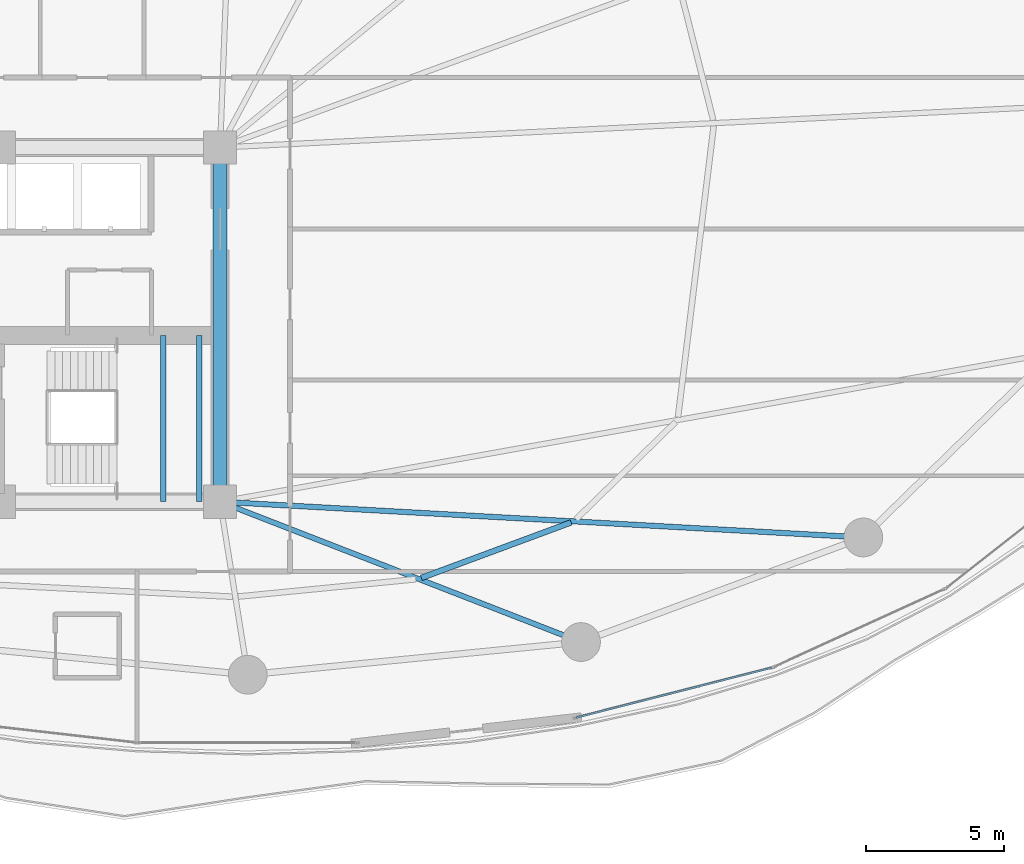
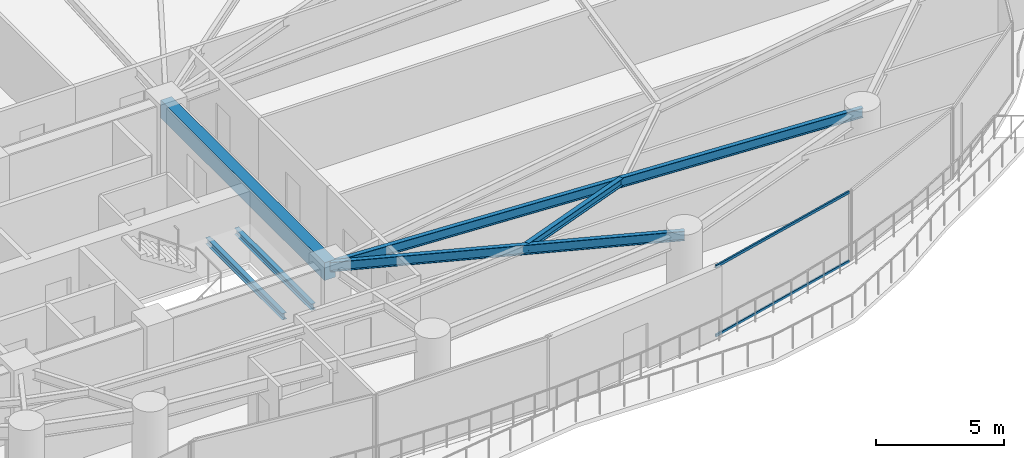
# One storey, part 12 of 31: 6 beams, 2 members, 1 element without a shape of its own.
"""IFC4 building model written with IfcOpenShell, lengths in metres."""

from ifc_helpers import new_model, si_unit, direction, frame, origin, origin_2d, place, context, subcontext, project, spatial, rectangle, hollow_rectangle, i_section, extrude, material, layer, layer_set, material_profile, profile_set, type_object, element, aggregate, save


model = new_model("IFC4")

# Units and contexts
model_context = context("Model", 3, precision=1e-05, world=origin(), true_north=direction((0.0, 1.0)))
body_context = subcontext(model_context, "Body", "Model", "MODEL_VIEW")
ifc_project = project(units=[si_unit("LENGTHUNIT", "METRE"), si_unit("AREAUNIT", "SQUARE_METRE"), si_unit("VOLUMEUNIT", "CUBIC_METRE"), si_unit("PLANEANGLEUNIT", "RADIAN"), si_unit("MASSUNIT", "GRAM", prefix="KILO")], contexts=[model_context])

# Site, building, storey
site_placement = place(None, origin())
site = spatial("IfcSite", under=ifc_project, at=site_placement, CompositionType="ELEMENT")
building_placement = place(site_placement, origin())
building = spatial("IfcBuilding", under=site, at=building_placement, Name="Kazevale Care Tower and Concert Hall", CompositionType="ELEMENT")
storey_placement = place(building_placement, frame((0.0, 0.0, 60.0)))
storey = spatial("IfcBuildingStorey", under=building, at=storey_placement, Name="L15", CompositionType="ELEMENT", Elevation=60.0)

# Curtain wall, members
ifc_material_1 = material(Name="Aluminium 6063-T6 and Low-E Glass", Category="aluminium")
ifc_layer = layer(ifc_material_1, 0.179931640625)
ifc_layer_set = layer_set([ifc_layer], Name="Aluminium 6063-T6 and Low-E Glass")
curtain_wall_type = type_object("IfcCurtainWallType", Name="Sheltered Concave Balcony Curtain Wall CW-5", PredefinedType="NOTDEFINED", material=ifc_layer_set)
curtain_wall_placement = place(storey_placement, origin())
curtain_wall = element("IfcCurtainWall", 1, at=curtain_wall_placement, inside=storey, type_object=curtain_wall_type, Name="cw:L15:f04", PredefinedType="NOTDEFINED")
ifc_material_2 = material(Name="Aluminium 6063-T6", Category="aluminium")
ifc_material_profile_1 = material_profile(ifc_material_2, hollow_rectangle(XDim=0.074951171875, YDim=0.1201171875, WallThickness=0.00390625, at=origin_2d()), Name="ALU75x120x4")
ifc_profile_set_1 = profile_set([ifc_material_profile_1], Name="Aluminium 6063-T6")
member_type = type_object("IfcMemberType", Name="CW-5 Transom ALU75x120x4", PredefinedType="USERDEFINED", material=ifc_profile_set_1)
member_1_placement = place(storey_placement, frame((63.915283203125, 17.599365234375, 0.03759765625), z_axis=(-0.968960816419, -0.24721435283, 0.0), x_axis=(0.24721435283, -0.968960816419, 0.0)))
member_1 = element("IfcMember", 2, at=member_1_placement, type_object=member_type, Name="CW-5 transom 1.1", ObjectType="TRANSOM", PredefinedType="USERDEFINED", context=body_context, shape_type="SweptSolid", body=[
    extrude(hollow_rectangle(XDim=0.074951171875, YDim=0.1201171875, WallThickness=0.00390625, at=origin_2d()), origin(), (0.0, 0.0, 1.0), 7.2763671875),
])
member_2_placement = place(storey_placement, frame((63.915283203125, 17.599365234375, 3.322509765625), z_axis=(-0.968960816419, -0.24721435283, 0.0), x_axis=(0.24721435283, -0.968960816419, 0.0)))
member_2 = element("IfcMember", 3, at=member_2_placement, type_object=member_type, Name="CW-5 transom 1.2", ObjectType="TRANSOM", PredefinedType="USERDEFINED", context=body_context, shape_type="SweptSolid", body=[
    extrude(hollow_rectangle(XDim=0.074951171875, YDim=0.1201171875, WallThickness=0.00390625, at=origin_2d()), origin(), (0.0, 0.0, 1.0), 7.2763671875),
])
aggregate(curtain_wall, [member_1, member_2])

# Beams
ifc_material_3 = material(Name="Concrete C60", Category="concrete")
ifc_material_profile_2 = material_profile(ifc_material_3, rectangle(XDim=0.5, YDim=0.85009765625, at=origin_2d()), Name="RC-B500x850")
ifc_profile_set_2 = profile_set([ifc_material_profile_2], Name="Concrete C60")
beam_type_1 = type_object("IfcBeamType", Name="Core Coupling Beam RC500x850", PredefinedType="LINTEL", material=ifc_profile_set_2)
beam_1_placement = place(storey_placement, frame((44.0, 23.60009765625, 2.93505859375), z_axis=(0.0, 1.0, 0.0), x_axis=(-1.0, 0.0, 0.0)))
element("IfcBeam", 4, at=beam_1_placement, inside=storey, type_object=beam_type_1, Name="beam:L15:coretie:4", PredefinedType="LINTEL", context=body_context, shape_type="SweptSolid", body=[
    extrude(rectangle(XDim=0.5, YDim=0.85009765625, at=origin_2d()), origin(), (0.0, 0.0, 1.0), 12.7998046875),
])
ifc_material_4 = material(Name="Steel ASTM A572 Gr 50", Category="steel")
ifc_material_profile_3 = material_profile(ifc_material_4, i_section(OverallWidth=0.19091796875, OverallDepth=0.4599609375, WebThickness=0.010009765625, FlangeThickness=0.01611328125, at=origin_2d()), Name="W460x82")
ifc_profile_set_3 = profile_set([ifc_material_profile_3], Name="Steel ASTM A572 Gr 50")
beam_type_2 = type_object("IfcBeamType", Name="Radial Floor Beam W460x82", PredefinedType="BEAM", material=ifc_profile_set_3)
beam_2_placement = place(storey_placement, frame((44.0, 23.60009765625, 3.1298828125), z_axis=(0.932030212407, -0.362380577792, 0.0), x_axis=(0.362380577792, 0.932030212407, 0.0)))
element("IfcBeam", 5, at=beam_2_placement, inside=storey, type_object=beam_type_2, Name="beam:L15:rad:14", PredefinedType="BEAM", context=body_context, shape_type="SweptSolid", body=[
    extrude(i_section(OverallWidth=0.19091796875, OverallDepth=0.4599609375, WebThickness=0.010009765625, FlangeThickness=0.01611328125, at=origin_2d()), origin(), (0.0, 0.0, 1.0), 13.990966796875),
])
beam_3_placement = place(storey_placement, frame((44.0, 23.60009765625, 3.1298828125), z_axis=(0.998462901796, -0.055424125948, 0.0), x_axis=(0.055424125948, 0.998462901796, 0.0)))
element("IfcBeam", 6, at=beam_3_placement, inside=storey, type_object=beam_type_2, Name="beam:L15:rad:15", PredefinedType="BEAM", context=body_context, shape_type="SweptSolid", body=[
    extrude(i_section(OverallWidth=0.19091796875, OverallDepth=0.4599609375, WebThickness=0.010009765625, FlangeThickness=0.01611328125, at=origin_2d()), origin(), (0.0, 0.0, 1.0), 23.27587890625),
])
ifc_material_profile_4 = material_profile(ifc_material_4, i_section(OverallWidth=0.205078125, OverallDepth=0.35400390625, WebThickness=0.009521484375, FlangeThickness=0.016845703125, at=origin_2d()), Name="W360x79")
ifc_profile_set_4 = profile_set([ifc_material_profile_4], Name="Steel ASTM A572 Gr 50")
beam_type_3 = type_object("IfcBeamType", Name="Secondary Floor Joist W360x79", PredefinedType="JOIST", material=ifc_profile_set_4)
beam_4_placement = place(storey_placement, frame((51.27001953125, 20.847900390625, 3.18310546875), z_axis=(0.937698254396, 0.347450692477, 0.0), x_axis=(-0.347450692477, 0.937698254396, 0.0)))
element("IfcBeam", 7, at=beam_4_placement, inside=storey, type_object=beam_type_3, Name="beam:L15:joist:14", PredefinedType="JOIST", context=body_context, shape_type="SweptSolid", body=[
    extrude(i_section(OverallWidth=0.205078125, OverallDepth=0.35400390625, WebThickness=0.009521484375, FlangeThickness=0.016845703125, at=origin_2d()), origin(), (0.0, 0.0, 1.0), 5.773681640625),
])
ifc_material_profile_5 = material_profile(ifc_material_4, i_section(OverallWidth=0.202880859375, OverallDepth=0.302978515625, WebThickness=0.007568359375, FlangeThickness=0.01318359375, at=origin_2d()), Name="W310x60")
ifc_profile_set_5 = profile_set([ifc_material_profile_5], Name="Steel ASTM A572 Gr 50")
beam_type_4 = type_object("IfcBeamType", Name="Stair & Balcony Trimmer W310x60", PredefinedType="BEAM", material=ifc_profile_set_5)
for number, where, z_axis, x_axis, name in (
    (8, (41.949951171875, 23.60009765625, 1.448486328125), (0.0, 1.0, 0.0), (-1.0, 0.0, 0.0), "beam:L15:sttrim:ST2"),
    (9, (43.25, 23.60009765625, 1.448486328125), (0.0, 1.0, 0.0), (-1.0, 0.0, 0.0), "beam:L15:sttrim:ST2b"),
):
    element("IfcBeam", number, at=place(storey_placement, frame(where, z_axis=z_axis, x_axis=x_axis)), inside=storey, type_object=beam_type_4, Name=name, PredefinedType="BEAM", context=body_context, shape_type="SweptSolid", body=[
        extrude(i_section(OverallWidth=0.202880859375, OverallDepth=0.302978515625, WebThickness=0.007568359375, FlangeThickness=0.01318359375, at=origin_2d()), origin(), (0.0, 0.0, 1.0), 6.0),
    ])

save(model, "model.ifc")
